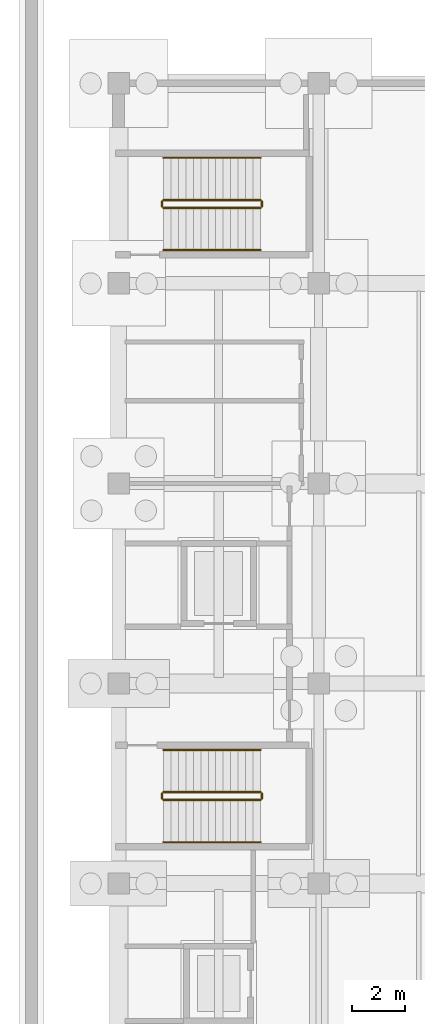
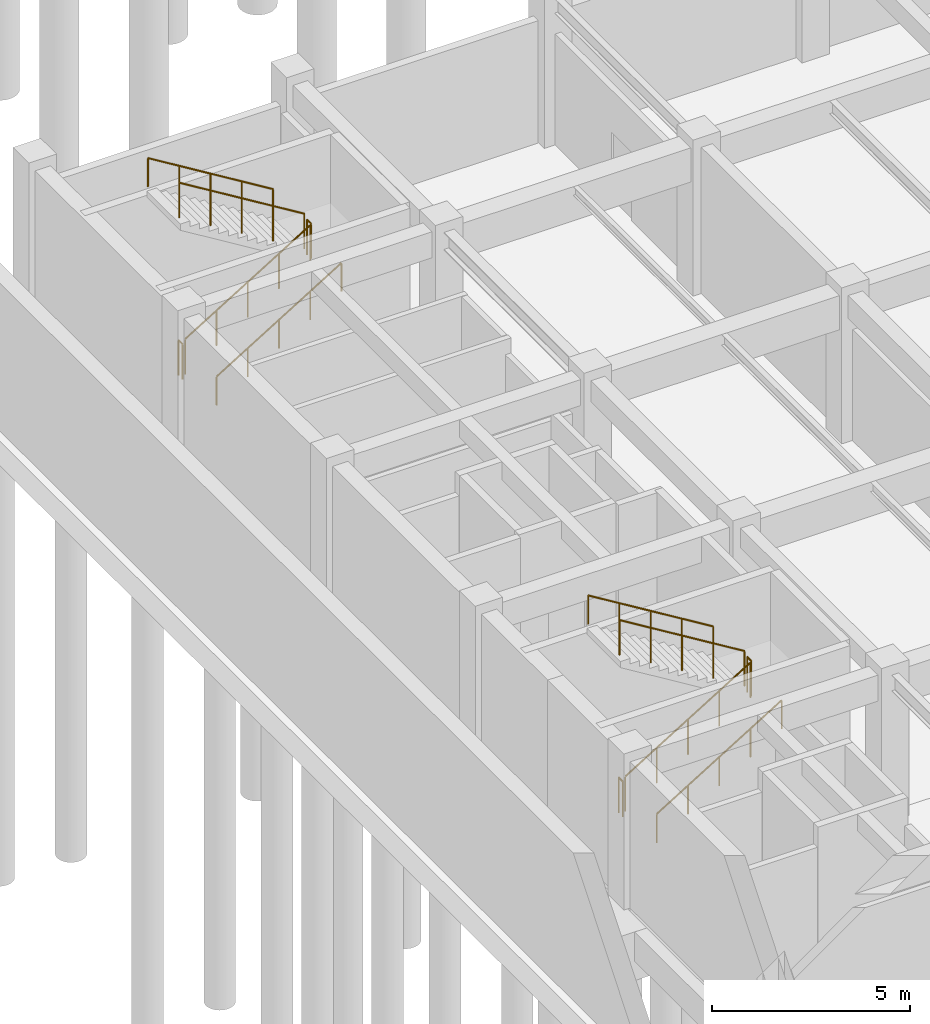
# One storey, part 30 of 38: 12 railings.
"""IFC4 building model written with IfcOpenShell, lengths in metres."""

import ifcopenshell
import ifcopenshell.guid

model = None  # the IFC model being written
_history = None  # IfcOwnerHistory: only IFC2X3 demands one
_inside = {}  # id of a spatial element -> (the spatial element, [elements in it])
_under = {}  # id of a project, library or spatial element -> (it, [spatial elements below it])
_declared = {}  # id of a project -> (the project, [libraries it declares])
_typed = {}  # id of a type object -> (the type object, [elements of that type])
_made_of = {}  # id of a material, layer set ... -> (it, [elements and type objects made of it])


def new_model(schema):
    """Start an empty IFC model of exactly this schema.

    Asked for "IFC4X3", IfcOpenShell would pick the latest addendum, in which some entities
    have other attributes; the version numbers below select the first issue.
    IFC2X3 requires an IfcOwnerHistory on every rooted entity: one is made here for all.
    """
    global model, _history
    if schema == "IFC4X3":
        model = ifcopenshell.file(schema_version=(4, 3, 0, 0))
    else:
        model = ifcopenshell.file(schema=schema)
    _inside.clear()
    _under.clear()
    _declared.clear()
    _typed.clear()
    _made_of.clear()
    _history = None
    if model.schema == "IFC2X3":
        org = make("IfcOrganization", Name="unknown")
        user = make(
            "IfcPersonAndOrganization",
            ThePerson=make("IfcPerson", FamilyName="unknown"),
            TheOrganization=org,
        )
        app = make(
            "IfcApplication",
            ApplicationDeveloper=org,
            Version="unknown",
            ApplicationFullName="unknown",
            ApplicationIdentifier="unknown",
        )
        _history = make(
            "IfcOwnerHistory",
            OwningUser=user,
            OwningApplication=app,
            ChangeAction="ADDED",
            CreationDate=0,
        )
    return model


def make(cls, **values):
    """One entity of the class cls with the attributes given. An attribute that is None is left unset."""
    return model.create_entity(
        cls, **{name: value for name, value in values.items() if value is not None}
    )


def rooted(cls, **values):
    """An entity with a GlobalId (a new one), such as an element, a storey or a relation."""
    return make(cls, GlobalId=ifcopenshell.guid.new(), OwnerHistory=_history, **values)


def si_unit(unit_type, name, prefix=None):
    """IfcSIUnit, for example si_unit("LENGTHUNIT", "METRE", prefix="MILLI")."""
    return make("IfcSIUnit", UnitType=unit_type, Prefix=prefix, Name=name)


def assignment(units):
    """IfcUnitAssignment: the units of a project."""
    return None if units is None else make("IfcUnitAssignment", Units=units)


def point(xyz):
    """IfcCartesianPoint."""
    return None if xyz is None else make("IfcCartesianPoint", Coordinates=xyz)


def direction(xyz):
    """IfcDirection."""
    return None if xyz is None else make("IfcDirection", DirectionRatios=xyz)


def frame(location, z_axis=None, x_axis=None):
    """IfcAxis2Placement3D, a coordinate frame: its origin and axes. An axis left out is left unset."""
    return make(
        "IfcAxis2Placement3D",
        Location=point(location),
        Axis=direction(z_axis),
        RefDirection=direction(x_axis),
    )


def frame_2d(location, x_axis=None):
    """IfcAxis2Placement2D, a coordinate frame in the plane: its origin and x axis."""
    return make(
        "IfcAxis2Placement2D", Location=point(location), RefDirection=direction(x_axis)
    )


def origin():
    """The frame at (0, 0, 0) with its axes left unset."""
    return frame((0.0, 0.0, 0.0))


def origin_2d():
    """The frame at (0, 0) in the plane with its x axis left unset."""
    return frame_2d((0.0, 0.0))


def place(relative_to, where):
    """IfcLocalPlacement: puts the frame where relative to a parent placement (None: the world)."""
    return make(
        "IfcLocalPlacement", PlacementRelTo=relative_to, RelativePlacement=where
    )


def context(
    kind, dimensions, precision=None, world=None, true_north=None, identifier=None
):
    """IfcGeometricRepresentationContext, for example the 3D "Model" context."""
    return make(
        "IfcGeometricRepresentationContext",
        ContextIdentifier=identifier,
        ContextType=kind,
        CoordinateSpaceDimension=dimensions,
        Precision=precision,
        WorldCoordinateSystem=world,
        TrueNorth=true_north,
    )


def subcontext(parent, identifier, kind, view, scale=None):
    """IfcGeometricRepresentationSubContext, for example "Body" below "Model"."""
    return make(
        "IfcGeometricRepresentationSubContext",
        ContextIdentifier=identifier,
        ContextType=kind,
        ParentContext=parent,
        TargetScale=scale,
        TargetView=view,
    )


def project(units=None, contexts=None):
    """IfcProject with its units and contexts."""
    return rooted(
        "IfcProject",
        Name="project",
        RepresentationContexts=contexts,
        UnitsInContext=assignment(units),
    )


def spatial(cls, under=None, at=None, **own):
    """A site, building, storey or space (cls), placed at a placement, below another one or the project."""
    s = rooted(cls, ObjectPlacement=at, **own)
    if under is not None:
        _under.setdefault(under.id(), (under, []))[1].append(s)
    return s


def profile(cls, at=None, kind="AREA", **sizes):
    """A parametric profile (cls). Its sizes go by their IFC names, for example OverallWidth=200.0."""
    return make(cls, ProfileType=kind, Position=at, **sizes)


def circle(**sizes):
    """IfcCircleProfileDef."""
    return profile("IfcCircleProfileDef", **sizes)


def extrude(swept, where, along, depth):
    """IfcExtrudedAreaSolid: the profile swept, set in the frame where, extruded along a direction by depth."""
    return make(
        "IfcExtrudedAreaSolid",
        SweptArea=swept,
        Position=where,
        ExtrudedDirection=direction(along),
        Depth=depth,
    )


def shape(context_of_items, identifier, shape_type, items):
    """IfcShapeRepresentation: the items that make up one representation, for example the "Body"."""
    return make(
        "IfcShapeRepresentation",
        ContextOfItems=context_of_items,
        RepresentationIdentifier=identifier,
        RepresentationType=shape_type,
        Items=items,
    )


def material(Name=None, Category=None):
    """IfcMaterial."""
    return make("IfcMaterial", Name=Name, Category=Category)


def layer(
    of_material, thickness, ventilated=None, Name=None, Category=None, Priority=None
):
    """IfcMaterialLayer: one layer of a wall or slab, of a material (None: an air gap)."""
    return make(
        "IfcMaterialLayer",
        Material=of_material,
        LayerThickness=thickness,
        IsVentilated=ventilated,
        Name=Name,
        Category=Category,
        Priority=Priority,
    )


def layer_set(layers, Name=None):
    """IfcMaterialLayerSet."""
    return make("IfcMaterialLayerSet", MaterialLayers=layers, LayerSetName=Name)


def made_of(thing, what):
    """Note that an element or type object is made of a material, layer set ...; save() writes the relation."""
    if what is not None:
        _made_of.setdefault(what.id(), (what, []))[1].append(thing)
    return thing


def type_object(cls, material=None, **own):
    """A type object (cls), such as IfcWallType, which elements share."""
    return made_of(rooted(cls, **own), material)


def element(
    cls,
    number,
    at=None,
    inside=None,
    cuts=None,
    type_object=None,
    material=None,
    context=None,
    identifier="Body",
    shape_type=None,
    held_by="IfcProductDefinitionShape",
    body=None,
    shapes=None,
    **own,
):
    """One element of the class cls, such as IfcWall. Its Tag is "e" and its number.

    at: its placement. inside: the storey or other place that contains it. cuts: it is an
    opening in that element (IfcRelVoidsElement). A single representation is given by context,
    identifier, shape_type and body (its items); several are given by shapes. held_by: the class
    of the entity that holds the representations. save() writes the other relations.
    """
    e = rooted(cls, Tag="e%d" % number, ObjectPlacement=at, **own)
    if body is not None:
        shapes = [shape(context, identifier, shape_type, body)]
    if shapes is not None:
        e.Representation = make(held_by, Representations=shapes)
    if inside is not None:
        _inside.setdefault(inside.id(), (inside, []))[1].append(e)
    if cuts is not None:
        rooted(
            "IfcRelVoidsElement", RelatingBuildingElement=cuts, RelatedOpeningElement=e
        )
    if type_object is not None:
        _typed.setdefault(type_object.id(), (type_object, []))[1].append(e)
    return made_of(e, material)


def aggregate(whole, parts):
    """IfcRelAggregates: a whole, such as a stair, and the parts it consists of."""
    return rooted("IfcRelAggregates", RelatingObject=whole, RelatedObjects=parts)


def save(model, path):
    """Write the relations noted so far, then the file.

    IfcRelAggregates (storeys below a building ...), IfcRelContainedInSpatialStructure (elements
    in a storey), IfcRelDefinesByType, IfcRelAssociatesMaterial and IfcRelDeclares: one each for
    every whole, place, type object, material and project.
    """
    for whole, parts in _under.values():
        aggregate(whole, parts)
    for where, things in _inside.values():
        rooted(
            "IfcRelContainedInSpatialStructure",
            RelatedElements=things,
            RelatingStructure=where,
        )
    for kind, things in _typed.values():
        rooted("IfcRelDefinesByType", RelatedObjects=things, RelatingType=kind)
    for what, things in _made_of.values():
        rooted("IfcRelAssociatesMaterial", RelatedObjects=things, RelatingMaterial=what)
    for by, libraries in _declared.values():
        rooted("IfcRelDeclares", RelatingContext=by, RelatedDefinitions=libraries)
    model.write(path)


model = new_model("IFC4")

# Units and contexts
model_context = context("Model", 3, precision=1e-05, world=origin(), true_north=direction((0.0, 1.0)))
body_context = subcontext(model_context, "Body", "Model", "MODEL_VIEW")
ifc_project = project(units=[si_unit("LENGTHUNIT", "METRE"), si_unit("AREAUNIT", "SQUARE_METRE"), si_unit("VOLUMEUNIT", "CUBIC_METRE"), si_unit("PLANEANGLEUNIT", "RADIAN"), si_unit("MASSUNIT", "GRAM", prefix="KILO")], contexts=[model_context])

# Site, building, storey
site_placement = place(None, origin())
site = spatial("IfcSite", under=ifc_project, at=site_placement, CompositionType="ELEMENT")
building_placement = place(site_placement, origin())
building = spatial("IfcBuilding", under=site, at=building_placement, Name="Qasida Concert Hall", CompositionType="ELEMENT")
storey_placement = place(building_placement, frame((0.0, 0.0, -4.800048828125)))
storey = spatial("IfcBuildingStorey", under=building, at=storey_placement, Name="B1", CompositionType="ELEMENT", Elevation=-4.800048828125)

# Railings
ifc_material_1 = material(Name="Patinated architectural bronze and laminated glass infill", Category="glass")
ifc_layer_1 = layer(ifc_material_1, 0.080078125, Name="Patinated architectural bronze and laminated glass infill")
ifc_layer_set_1 = layer_set([ifc_layer_1], Name="Patinated architectural bronze and laminated glass infill")
railing_type_1 = type_object("IfcRailingType", Name="RL-GRD-1100", PredefinedType="GUARDRAIL", material=ifc_layer_set_1)
railing_1_placement = place(storey_placement, frame((1.679931640625, 25.6298828125, 0.17138671875)))
element("IfcRailing", 1, at=railing_1_placement, inside=storey, type_object=railing_type_1, Name="B1 ST-03 stair guard 1", PredefinedType="GUARDRAIL", context=body_context, shape_type="SweptSolid", body=[
    extrude(circle(Radius=0.02392578125, at=origin_2d()), frame((0.0, 0.0, 1.076171875), z_axis=(0.852840387347, 0.0, 0.522171689878), x_axis=(0.0, 1.0, 0.0)), (0.0, 0.0, 1.0), 4.268310546875),
    extrude(circle(Radius=0.02099609375, at=origin_2d()), origin(), (0.0, 0.0, 1.0), 1.052001953125),
    extrude(circle(Radius=0.02099609375, at=origin_2d()), frame((0.91015625, 0.0, 0.55712890625)), (0.0, 0.0, 1.0), 1.052001953125),
    extrude(circle(Radius=0.02099609375, at=origin_2d()), frame((1.820068359375, 0.0, 1.1142578125)), (0.0, 0.0, 1.0), 1.052001953125),
    extrude(circle(Radius=0.02099609375, at=origin_2d()), frame((2.72998046875, 0.0, 1.671630859375)), (0.0, 0.0, 1.0), 1.052001953125),
    extrude(circle(Radius=0.02099609375, at=origin_2d()), frame((3.64013671875, 0.0, 2.228759765625)), (0.0, 0.0, 1.0), 1.052001953125),
])
railing_2_placement = place(storey_placement, frame((5.3701171875, 25.679931640625, 2.400146484375)))
element("IfcRailing", 2, at=railing_2_placement, inside=storey, type_object=railing_type_1, Name="B1 ST-03 stair guard 2", PredefinedType="GUARDRAIL", context=body_context, shape_type="SweptSolid", body=[
    extrude(circle(Radius=0.02392578125, at=origin_2d()), frame((0.0, 0.0, 1.076171875), z_axis=(0.0, 1.0, 0.0), x_axis=(-1.0, 0.0, 0.0)), (0.0, 0.0, 1.0), 0.199951171875),
    extrude(circle(Radius=0.02099609375, at=origin_2d()), origin(), (0.0, 0.0, 1.0), 1.052001953125),
    extrude(circle(Radius=0.02099609375, at=origin_2d()), frame((0.0, 0.199951171875, 0.0)), (0.0, 0.0, 1.0), 1.052001953125),
])
railing_3_placement = place(storey_placement, frame((5.320068359375, 25.929931640625, 2.571533203125)))
element("IfcRailing", 3, at=railing_3_placement, inside=storey, type_object=railing_type_1, Name="B1 ST-03 stair guard 3", PredefinedType="GUARDRAIL", context=body_context, shape_type="SweptSolid", body=[
    extrude(circle(Radius=0.02392578125, at=origin_2d()), frame((0.0, 0.0, 1.076171875), z_axis=(-0.852865859571, 0.0, 0.52213008492), x_axis=(0.0, -1.0, 0.0)), (0.0, 0.0, 1.0), 4.26806640625),
    extrude(circle(Radius=0.02099609375, at=origin_2d()), origin(), (0.0, 0.0, 1.0), 1.052001953125),
    extrude(circle(Radius=0.02099609375, at=origin_2d()), frame((-0.91015625, 0.0, 0.55712890625)), (0.0, 0.0, 1.0), 1.052001953125),
    extrude(circle(Radius=0.02099609375, at=origin_2d()), frame((-1.820068359375, 0.0, 1.1142578125)), (0.0, 0.0, 1.0), 1.052001953125),
    extrude(circle(Radius=0.02099609375, at=origin_2d()), frame((-2.72998046875, 0.0, 1.67138671875)), (0.0, 0.0, 1.0), 1.052001953125),
    extrude(circle(Radius=0.02099609375, at=origin_2d()), frame((-3.64013671875, 0.0, 2.228515625)), (0.0, 0.0, 1.0), 1.052001953125),
])
railing_4_placement = place(storey_placement, frame((1.6298828125, 25.679931640625, 0.0)))
element("IfcRailing", 4, at=railing_4_placement, inside=storey, type_object=railing_type_1, Name="B1 ST-03 stair guard 4", PredefinedType="GUARDRAIL", context=body_context, shape_type="SweptSolid", body=[
    extrude(circle(Radius=0.02392578125, at=origin_2d()), frame((0.0, 0.0, 1.076171875), z_axis=(0.0, 1.0, 0.0), x_axis=(-1.0, 0.0, 0.0)), (0.0, 0.0, 1.0), 0.199951171875),
    extrude(circle(Radius=0.02099609375, at=origin_2d()), origin(), (0.0, 0.0, 1.0), 1.052001953125),
    extrude(circle(Radius=0.02099609375, at=origin_2d()), frame((0.0, 0.199951171875, 0.0)), (0.0, 0.0, 1.0), 1.052001953125),
])
railing_5_placement = place(storey_placement, frame((1.679931640625, 47.830078125, 0.17138671875)))
element("IfcRailing", 5, at=railing_5_placement, inside=storey, type_object=railing_type_1, Name="B1 ST-04 stair guard 1", PredefinedType="GUARDRAIL", context=body_context, shape_type="SweptSolid", body=[
    extrude(circle(Radius=0.02392578125, at=origin_2d()), frame((0.0, 0.0, 1.076171875), z_axis=(0.852840387347, 0.0, 0.522171689878), x_axis=(0.0, 1.0, 0.0)), (0.0, 0.0, 1.0), 4.268310546875),
    extrude(circle(Radius=0.02099609375, at=origin_2d()), origin(), (0.0, 0.0, 1.0), 1.052001953125),
    extrude(circle(Radius=0.02099609375, at=origin_2d()), frame((0.91015625, 0.0, 0.55712890625)), (0.0, 0.0, 1.0), 1.052001953125),
    extrude(circle(Radius=0.02099609375, at=origin_2d()), frame((1.820068359375, 0.0, 1.1142578125)), (0.0, 0.0, 1.0), 1.052001953125),
    extrude(circle(Radius=0.02099609375, at=origin_2d()), frame((2.72998046875, 0.0, 1.671630859375)), (0.0, 0.0, 1.0), 1.052001953125),
    extrude(circle(Radius=0.02099609375, at=origin_2d()), frame((3.64013671875, 0.0, 2.228759765625)), (0.0, 0.0, 1.0), 1.052001953125),
])
railing_6_placement = place(storey_placement, frame((5.3701171875, 47.8798828125, 2.400146484375)))
element("IfcRailing", 6, at=railing_6_placement, inside=storey, type_object=railing_type_1, Name="B1 ST-04 stair guard 2", PredefinedType="GUARDRAIL", context=body_context, shape_type="SweptSolid", body=[
    extrude(circle(Radius=0.02392578125, at=origin_2d()), frame((0.0, 0.0, 1.076171875), z_axis=(0.0, 1.0, 0.0), x_axis=(-1.0, 0.0, 0.0)), (0.0, 0.0, 1.0), 0.2001953125),
    extrude(circle(Radius=0.02099609375, at=origin_2d()), origin(), (0.0, 0.0, 1.0), 1.052001953125),
    extrude(circle(Radius=0.02099609375, at=origin_2d()), frame((0.0, 0.2001953125, 0.0)), (0.0, 0.0, 1.0), 1.052001953125),
])
railing_7_placement = place(storey_placement, frame((5.320068359375, 48.1298828125, 2.571533203125)))
element("IfcRailing", 7, at=railing_7_placement, inside=storey, type_object=railing_type_1, Name="B1 ST-04 stair guard 3", PredefinedType="GUARDRAIL", context=body_context, shape_type="SweptSolid", body=[
    extrude(circle(Radius=0.02392578125, at=origin_2d()), frame((0.0, 0.0, 1.076171875), z_axis=(-0.852865859571, 0.0, 0.52213008492), x_axis=(0.0, -1.0, 0.0)), (0.0, 0.0, 1.0), 4.26806640625),
    extrude(circle(Radius=0.02099609375, at=origin_2d()), origin(), (0.0, 0.0, 1.0), 1.052001953125),
    extrude(circle(Radius=0.02099609375, at=origin_2d()), frame((-0.91015625, 0.0, 0.55712890625)), (0.0, 0.0, 1.0), 1.052001953125),
    extrude(circle(Radius=0.02099609375, at=origin_2d()), frame((-1.820068359375, 0.0, 1.1142578125)), (0.0, 0.0, 1.0), 1.052001953125),
    extrude(circle(Radius=0.02099609375, at=origin_2d()), frame((-2.72998046875, 0.0, 1.67138671875)), (0.0, 0.0, 1.0), 1.052001953125),
    extrude(circle(Radius=0.02099609375, at=origin_2d()), frame((-3.64013671875, 0.0, 2.228515625)), (0.0, 0.0, 1.0), 1.052001953125),
])
railing_8_placement = place(storey_placement, frame((1.6298828125, 47.8798828125, 0.0)))
element("IfcRailing", 8, at=railing_8_placement, inside=storey, type_object=railing_type_1, Name="B1 ST-04 stair guard 4", PredefinedType="GUARDRAIL", context=body_context, shape_type="SweptSolid", body=[
    extrude(circle(Radius=0.02392578125, at=origin_2d()), frame((0.0, 0.0, 1.076171875), z_axis=(0.0, 1.0, 0.0), x_axis=(-1.0, 0.0, 0.0)), (0.0, 0.0, 1.0), 0.2001953125),
    extrude(circle(Radius=0.02099609375, at=origin_2d()), origin(), (0.0, 0.0, 1.0), 1.052001953125),
    extrude(circle(Radius=0.02099609375, at=origin_2d()), frame((0.0, 0.2001953125, 0.0)), (0.0, 0.0, 1.0), 1.052001953125),
])
ifc_material_2 = material(Name="Patinated tubular architectural bronze", Category="steel")
ifc_layer_2 = layer(ifc_material_2, 0.050048828125, Name="Patinated tubular architectural bronze")
ifc_layer_set_2 = layer_set([ifc_layer_2], Name="Patinated tubular architectural bronze")
railing_type_2 = type_object("IfcRailingType", Name="RL-HND-900", PredefinedType="HANDRAIL", material=ifc_layer_set_2)
railing_9_placement = place(storey_placement, frame((1.679931640625, 24.050048828125, 0.17138671875)))
element("IfcRailing", 9, at=railing_9_placement, inside=storey, type_object=railing_type_2, Name="B1 ST-03 stair handrail 1", PredefinedType="HANDRAIL", context=body_context, shape_type="SweptSolid", body=[
    extrude(circle(Radius=0.02392578125, at=origin_2d()), frame((0.0, 0.0, 0.8759765625), z_axis=(0.852840387347, 0.0, 0.522171689878), x_axis=(0.0, 1.0, 0.0)), (0.0, 0.0, 1.0), 4.268310546875),
    extrude(circle(Radius=0.02099609375, at=origin_2d()), origin(), (0.0, 0.0, 1.0), 0.851806640625),
    extrude(circle(Radius=0.02099609375, at=origin_2d()), frame((0.91015625, 0.0, 0.55712890625)), (0.0, 0.0, 1.0), 0.851806640625),
    extrude(circle(Radius=0.02099609375, at=origin_2d()), frame((1.820068359375, 0.0, 1.1142578125)), (0.0, 0.0, 1.0), 0.851806640625),
    extrude(circle(Radius=0.02099609375, at=origin_2d()), frame((2.72998046875, 0.0, 1.671630859375)), (0.0, 0.0, 1.0), 0.851806640625),
    extrude(circle(Radius=0.02099609375, at=origin_2d()), frame((3.64013671875, 0.0, 2.228759765625)), (0.0, 0.0, 1.0), 0.851806640625),
])
railing_10_placement = place(storey_placement, frame((5.320068359375, 27.510009765625, 2.571533203125)))
element("IfcRailing", 10, at=railing_10_placement, inside=storey, type_object=railing_type_2, Name="B1 ST-03 stair handrail 2", PredefinedType="HANDRAIL", context=body_context, shape_type="SweptSolid", body=[
    extrude(circle(Radius=0.02392578125, at=origin_2d()), frame((0.0, 0.0, 0.8759765625), z_axis=(-0.852865859571, 0.0, 0.52213008492), x_axis=(0.0, -1.0, 0.0)), (0.0, 0.0, 1.0), 4.26806640625),
    extrude(circle(Radius=0.02099609375, at=origin_2d()), origin(), (0.0, 0.0, 1.0), 0.851806640625),
    extrude(circle(Radius=0.02099609375, at=origin_2d()), frame((-0.91015625, 0.0, 0.55712890625)), (0.0, 0.0, 1.0), 0.851806640625),
    extrude(circle(Radius=0.02099609375, at=origin_2d()), frame((-1.820068359375, 0.0, 1.1142578125)), (0.0, 0.0, 1.0), 0.851806640625),
    extrude(circle(Radius=0.02099609375, at=origin_2d()), frame((-2.72998046875, 0.0, 1.67138671875)), (0.0, 0.0, 1.0), 0.851806640625),
    extrude(circle(Radius=0.02099609375, at=origin_2d()), frame((-3.64013671875, 0.0, 2.228515625)), (0.0, 0.0, 1.0), 0.851806640625),
])
railing_11_placement = place(storey_placement, frame((1.679931640625, 46.25, 0.17138671875)))
element("IfcRailing", 11, at=railing_11_placement, inside=storey, type_object=railing_type_2, Name="B1 ST-04 stair handrail 1", PredefinedType="HANDRAIL", context=body_context, shape_type="SweptSolid", body=[
    extrude(circle(Radius=0.02392578125, at=origin_2d()), frame((0.0, 0.0, 0.8759765625), z_axis=(0.852840387347, 0.0, 0.522171689878), x_axis=(0.0, 1.0, 0.0)), (0.0, 0.0, 1.0), 4.268310546875),
    extrude(circle(Radius=0.02099609375, at=origin_2d()), origin(), (0.0, 0.0, 1.0), 0.851806640625),
    extrude(circle(Radius=0.02099609375, at=origin_2d()), frame((0.91015625, 0.0, 0.55712890625)), (0.0, 0.0, 1.0), 0.851806640625),
    extrude(circle(Radius=0.02099609375, at=origin_2d()), frame((1.820068359375, 0.0, 1.1142578125)), (0.0, 0.0, 1.0), 0.851806640625),
    extrude(circle(Radius=0.02099609375, at=origin_2d()), frame((2.72998046875, 0.0, 1.671630859375)), (0.0, 0.0, 1.0), 0.851806640625),
    extrude(circle(Radius=0.02099609375, at=origin_2d()), frame((3.64013671875, 0.0, 2.228759765625)), (0.0, 0.0, 1.0), 0.851806640625),
])
railing_12_placement = place(storey_placement, frame((5.320068359375, 49.7099609375, 2.571533203125)))
element("IfcRailing", 12, at=railing_12_placement, inside=storey, type_object=railing_type_2, Name="B1 ST-04 stair handrail 2", PredefinedType="HANDRAIL", context=body_context, shape_type="SweptSolid", body=[
    extrude(circle(Radius=0.02392578125, at=origin_2d()), frame((0.0, 0.0, 0.8759765625), z_axis=(-0.852865859571, 0.0, 0.52213008492), x_axis=(0.0, -1.0, 0.0)), (0.0, 0.0, 1.0), 4.26806640625),
    extrude(circle(Radius=0.02099609375, at=origin_2d()), origin(), (0.0, 0.0, 1.0), 0.851806640625),
    extrude(circle(Radius=0.02099609375, at=origin_2d()), frame((-0.91015625, 0.0, 0.55712890625)), (0.0, 0.0, 1.0), 0.851806640625),
    extrude(circle(Radius=0.02099609375, at=origin_2d()), frame((-1.820068359375, 0.0, 1.1142578125)), (0.0, 0.0, 1.0), 0.851806640625),
    extrude(circle(Radius=0.02099609375, at=origin_2d()), frame((-2.72998046875, 0.0, 1.67138671875)), (0.0, 0.0, 1.0), 0.851806640625),
    extrude(circle(Radius=0.02099609375, at=origin_2d()), frame((-3.64013671875, 0.0, 2.228515625)), (0.0, 0.0, 1.0), 0.851806640625),
])

save(model, "model.ifc")
